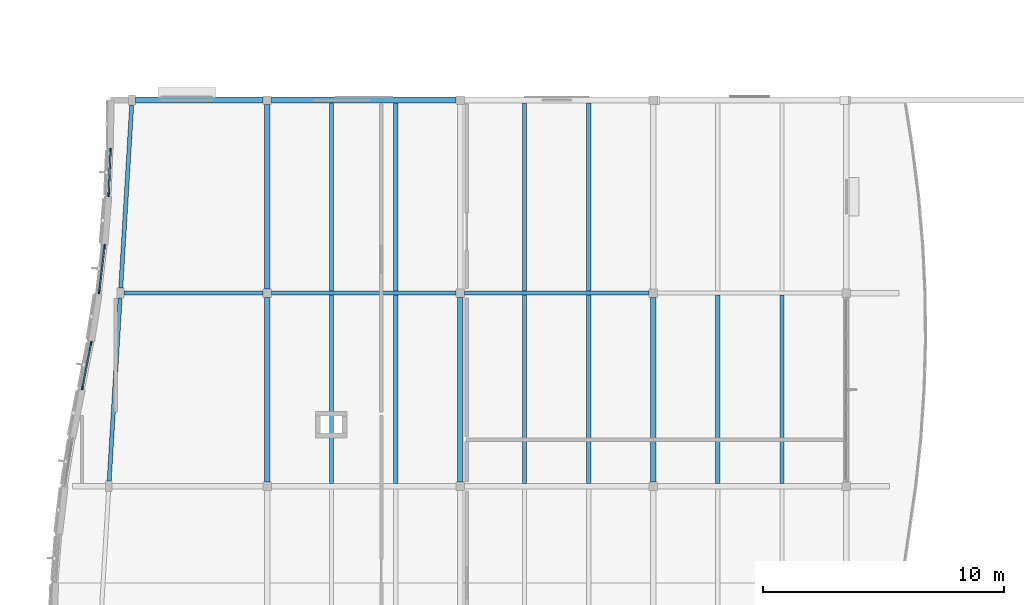
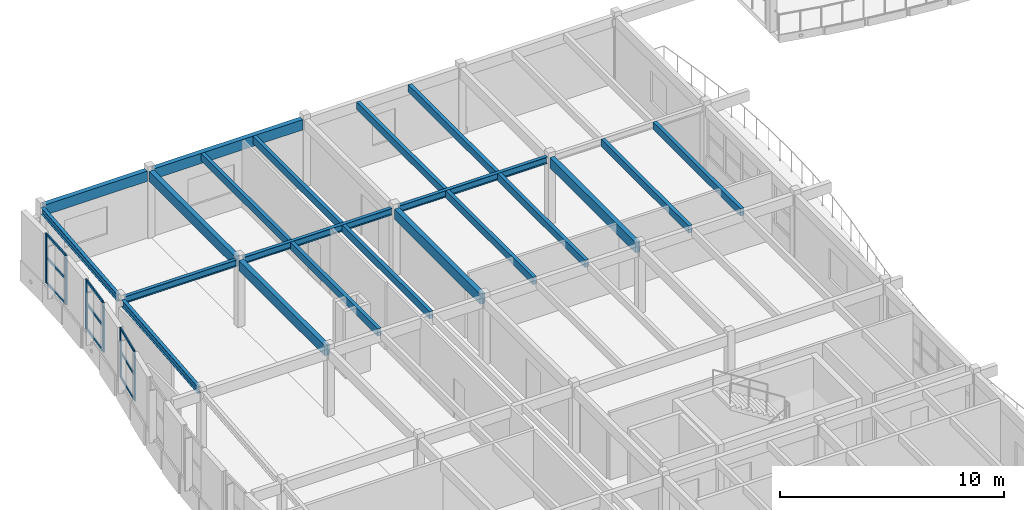
# One storey, part 11 of 63: 21 beams, 15 members, 3 elements without a shape of their own.
"""IFC4 building model written with IfcOpenShell, lengths in metres."""

from ifc_helpers import new_model, si_unit, direction, frame, origin, origin_2d, place, context, subcontext, project, spatial, rectangle, i_section, extrude, material, layer, layer_set, material_profile, profile_set, type_object, element, aggregate, save


model = new_model("IFC4")

# Units and contexts
model_context = context("Model", 3, precision=1e-05, world=origin(), true_north=direction((0.0, 1.0)))
body_context = subcontext(model_context, "Body", "Model", "MODEL_VIEW")
ifc_project = project(units=[si_unit("LENGTHUNIT", "METRE"), si_unit("AREAUNIT", "SQUARE_METRE"), si_unit("VOLUMEUNIT", "CUBIC_METRE"), si_unit("PLANEANGLEUNIT", "RADIAN"), si_unit("MASSUNIT", "GRAM", prefix="KILO")], contexts=[model_context])

# Site, building, storey
site_placement = place(None, origin())
site = spatial("IfcSite", under=ifc_project, at=site_placement, CompositionType="ELEMENT")
building_placement = place(site_placement, origin())
building = spatial("IfcBuilding", under=site, at=building_placement, Name="Tonlespit Floodbar School", CompositionType="ELEMENT")
storey_placement = place(building_placement, frame((0.0, 0.0, 8.39990234375)))
storey = spatial("IfcBuildingStorey", under=building, at=storey_placement, Name="L02", CompositionType="ELEMENT", Elevation=8.39990234375)

# Beams
ifc_material_1 = material(Name="Glulam GL28h", Category="wood")
ifc_material_profile_1 = material_profile(ifc_material_1, rectangle(XDim=0.239990234375, YDim=0.56005859375, at=origin_2d()), Name="GL 240x560")
ifc_profile_set_1 = profile_set([ifc_material_profile_1], Name="Glulam GL28h")
beam_type_1 = type_object("IfcBeamType", Name="Beam_GL_240x560", PredefinedType="BEAM", material=ifc_profile_set_1)
beam_1_placement = place(storey_placement, frame((6.5400390625, 96.0, 3.3701171875), z_axis=(1.0, 0.0, 0.0), x_axis=(0.0, 1.0, 0.0)))
element("IfcBeam", 1, at=beam_1_placement, inside=storey, type_object=beam_type_1, Name="L02 girder 0952", PredefinedType="BEAM", context=body_context, shape_type="SweptSolid", body=[
    extrude(rectangle(XDim=0.239990234375, YDim=0.56005859375, at=origin_2d()), origin(), (0.0, 0.0, 1.0), 5.280029296875),
])
for number, where, z_axis, x_axis, name in (
    (2, (12.179931640625, 96.0, 3.3701171875), (1.0, 0.0, 0.0), (0.0, 1.0, 0.0), "L02 girder 0953"),
    (3, (12.0, 80.179931640625, 3.3701171875), (0.0, 1.0, 0.0), (-1.0, 0.0, 0.0), "L02 girder 1006"),
    (4, (12.0, 88.179931640625, 3.3701171875), (0.0, 1.0, 0.0), (-1.0, 0.0, 0.0), "L02 girder 1007"),
    (5, (20.0, 80.179931640625, 3.3701171875), (0.0, 1.0, 0.0), (-1.0, 0.0, 0.0), "L02 girder 1015"),
    (6, (28.0, 80.179931640625, 3.3701171875), (0.0, 1.0, 0.0), (-1.0, 0.0, 0.0), "L02 girder 1023"),
):
    element("IfcBeam", number, at=place(storey_placement, frame(where, z_axis=z_axis, x_axis=x_axis)), inside=storey, type_object=beam_type_1, Name=name, PredefinedType="BEAM", context=body_context, shape_type="SweptSolid", body=[
        extrude(rectangle(XDim=0.239990234375, YDim=0.56005859375, at=origin_2d()), origin(), (0.0, 0.0, 1.0), 7.64013671875),
    ])

# Curtain wall, members
ifc_material_2 = material(Name="Anodised Aluminium", Category="aluminium")
ifc_layer_1 = layer(ifc_material_2, 0.159912109375)
ifc_layer_set_1 = layer_set([ifc_layer_1], Name="Anodised Aluminium")
curtain_wall_type_1 = type_object("IfcCurtainWallType", Name="CurtainWall_1950x2700", PredefinedType="NOTDEFINED", material=ifc_layer_set_1)
curtain_wall_1_placement = place(storey_placement, origin())
curtain_wall_1 = element("IfcCurtainWall", 7, at=curtain_wall_1_placement, inside=storey, type_object=curtain_wall_type_1, Name="L02 unitised curtain wall 0294", PredefinedType="NOTDEFINED")
ifc_material_profile_2 = material_profile(ifc_material_2, rectangle(XDim=0.06494140625, YDim=0.14990234375, at=origin_2d()), Name="ALU M65x150")
ifc_profile_set_2 = profile_set([ifc_material_profile_2], Name="Anodised Aluminium")
member_type_1 = type_object("IfcMemberType", Name="CW_Mullion_65x150", PredefinedType="MULLION", material=ifc_profile_set_2)
member_1_placement = place(storey_placement, frame((4.343994140625, 84.0712890625, 0.9501953125), z_axis=(0.0, 0.0, 1.0), x_axis=(-0.981347015734, 0.192244726092, 0.0)))
member_1 = element("IfcMember", 8, at=member_1_placement, type_object=member_type_1, Name="CW-04 mullion 1", PredefinedType="MULLION", context=body_context, shape_type="SweptSolid", body=[
    extrude(rectangle(XDim=0.06494140625, YDim=0.14990234375, at=origin_2d()), origin(), (0.0, 0.0, 1.0), 2.699951171875),
])
member_2_placement = place(storey_placement, frame((4.707763671875, 85.9287109375, 0.9501953125), z_axis=(0.0, 0.0, 1.0), x_axis=(-0.981347015734, 0.192244726092, 0.0)))
member_2 = element("IfcMember", 9, at=member_2_placement, type_object=member_type_1, Name="CW-04 mullion 2", PredefinedType="MULLION", context=body_context, shape_type="SweptSolid", body=[
    extrude(rectangle(XDim=0.06494140625, YDim=0.14990234375, at=origin_2d()), origin(), (0.0, 0.0, 1.0), 2.699951171875),
])

ifc_layer_2 = layer(ifc_material_2, 0.159912109375)
ifc_layer_set_2 = layer_set([ifc_layer_2], Name="Anodised Aluminium")
curtain_wall_type_2 = type_object("IfcCurtainWallType", Name="CurtainWall_1900x2700", PredefinedType="NOTDEFINED", material=ifc_layer_set_2)
curtain_wall_2_placement = place(storey_placement, origin())
curtain_wall_2 = element("IfcCurtainWall", 10, at=curtain_wall_2_placement, inside=storey, type_object=curtain_wall_type_2, Name="L02 unitised curtain wall 0296", PredefinedType="NOTDEFINED")
member_3_placement = place(storey_placement, frame((5.43212890625, 92.072509765625, 0.9501953125), z_axis=(0.0, 0.0, 1.0), x_axis=(-0.999169480615, 0.040747380387, 0.0)))
member_3 = element("IfcMember", 11, at=member_3_placement, type_object=member_type_1, Name="CW-05 mullion 1", PredefinedType="MULLION", context=body_context, shape_type="SweptSolid", body=[
    extrude(rectangle(XDim=0.06494140625, YDim=0.14990234375, at=origin_2d()), origin(), (0.0, 0.0, 1.0), 2.699951171875),
])
member_4_placement = place(storey_placement, frame((5.507568359375, 93.927490234375, 0.9501953125), z_axis=(0.0, 0.0, 1.0), x_axis=(-0.999169480615, 0.040747380387, 0.0)))
member_4 = element("IfcMember", 12, at=member_4_placement, type_object=member_type_1, Name="CW-05 mullion 2", PredefinedType="MULLION", context=body_context, shape_type="SweptSolid", body=[
    extrude(rectangle(XDim=0.06494140625, YDim=0.14990234375, at=origin_2d()), origin(), (0.0, 0.0, 1.0), 2.699951171875),
])

curtain_wall_3_placement = place(storey_placement, origin())
curtain_wall_3 = element("IfcCurtainWall", 13, at=curtain_wall_3_placement, inside=storey, type_object=curtain_wall_type_1, Name="L02 unitised curtain wall 0295", PredefinedType="NOTDEFINED")
ifc_material_profile_3 = material_profile(ifc_material_2, rectangle(XDim=0.06494140625, YDim=0.179931640625, at=origin_2d()), Name="ALU M65x180")
ifc_profile_set_3 = profile_set([ifc_material_profile_3], Name="Anodised Aluminium")
member_type_2 = type_object("IfcMemberType", Name="CW_Mullion_65x180", PredefinedType="MULLION", material=ifc_profile_set_3)
member_5_placement = place(storey_placement, frame((5.04345703125, 88.072021484375, 0.9501953125), z_axis=(0.0, 0.0, 1.0), x_axis=(-0.993135771716, 0.116967255837, 0.0)))
member_5 = element("IfcMember", 14, at=member_5_placement, type_object=member_type_2, Name="CW-04 mullion 1", PredefinedType="MULLION", context=body_context, shape_type="SweptSolid", body=[
    extrude(rectangle(XDim=0.06494140625, YDim=0.179931640625, at=origin_2d()), origin(), (0.0, 0.0, 1.0), 2.699951171875),
])
member_6_placement = place(storey_placement, frame((5.26220703125, 89.927978515625, 0.9501953125), z_axis=(0.0, 0.0, 1.0), x_axis=(-0.993135771716, 0.116967255837, 0.0)))
member_6 = element("IfcMember", 15, at=member_6_placement, type_object=member_type_2, Name="CW-04 mullion 2", PredefinedType="MULLION", context=body_context, shape_type="SweptSolid", body=[
    extrude(rectangle(XDim=0.06494140625, YDim=0.179931640625, at=origin_2d()), origin(), (0.0, 0.0, 1.0), 2.699951171875),
])

# Member
ifc_material_profile_4 = material_profile(ifc_material_2, rectangle(XDim=0.06494140625, YDim=0.1201171875, at=origin_2d()), Name="ALU T65x120")
ifc_profile_set_4 = profile_set([ifc_material_profile_4], Name="Anodised Aluminium")
member_type_3 = type_object("IfcMemberType", Name="CW_Transom_65x120", PredefinedType="USERDEFINED", material=ifc_profile_set_4)
member_7_placement = place(storey_placement, frame((4.35009765625, 84.10302734375, 0.982666015625), z_axis=(0.192313591783, 0.981333522517, 0.0), x_axis=(-0.981333522517, 0.192313591783, 0.0)))
member_7 = element("IfcMember", 16, at=member_7_placement, type_object=member_type_3, Name="CW-04 transom 1.1", ObjectType="TRANSOM", PredefinedType="USERDEFINED", context=body_context, shape_type="SweptSolid", body=[
    extrude(rectangle(XDim=0.06494140625, YDim=0.1201171875, at=origin_2d()), origin(), (0.0, 0.0, 1.0), 1.828125),
])

member_8_placement = place(storey_placement, frame((4.35009765625, 84.10302734375, 2.35400390625), z_axis=(0.192313591783, 0.981333522517, 0.0), x_axis=(-0.981333522517, 0.192313591783, 0.0)))
member_8 = element("IfcMember", 17, at=member_8_placement, type_object=member_type_3, Name="CW-04 transom 1.2", ObjectType="TRANSOM", PredefinedType="USERDEFINED", context=body_context, shape_type="SweptSolid", body=[
    extrude(rectangle(XDim=0.06494140625, YDim=0.1201171875, at=origin_2d()), origin(), (0.0, 0.0, 1.0), 1.828125),
])

member_9_placement = place(storey_placement, frame((4.35009765625, 84.10302734375, 3.61767578125), z_axis=(0.192313591783, 0.981333522517, 0.0), x_axis=(-0.981333522517, 0.192313591783, 0.0)))
member_9 = element("IfcMember", 18, at=member_9_placement, type_object=member_type_3, Name="CW-04 transom 1.3", ObjectType="TRANSOM", PredefinedType="USERDEFINED", context=body_context, shape_type="SweptSolid", body=[
    extrude(rectangle(XDim=0.06494140625, YDim=0.1201171875, at=origin_2d()), origin(), (0.0, 0.0, 1.0), 1.828125),
])

aggregate(curtain_wall_1, [member_1, member_2, member_7, member_8, member_9])

member_10_placement = place(storey_placement, frame((5.433349609375, 92.10498046875, 0.982666015625), z_axis=(0.040746274984, 0.999169525694, 0.0), x_axis=(-0.999169525694, 0.040746274984, 0.0)))
member_10 = element("IfcMember", 19, at=member_10_placement, type_object=member_type_3, Name="CW-05 transom 1.1", ObjectType="TRANSOM", PredefinedType="USERDEFINED", context=body_context, shape_type="SweptSolid", body=[
    extrude(rectangle(XDim=0.06494140625, YDim=0.1201171875, at=origin_2d()), origin(), (0.0, 0.0, 1.0), 1.79150390625),
])

member_11_placement = place(storey_placement, frame((5.433349609375, 92.10498046875, 2.35400390625), z_axis=(0.040746274984, 0.999169525694, 0.0), x_axis=(-0.999169525694, 0.040746274984, 0.0)))
member_11 = element("IfcMember", 20, at=member_11_placement, type_object=member_type_3, Name="CW-05 transom 1.2", ObjectType="TRANSOM", PredefinedType="USERDEFINED", context=body_context, shape_type="SweptSolid", body=[
    extrude(rectangle(XDim=0.06494140625, YDim=0.1201171875, at=origin_2d()), origin(), (0.0, 0.0, 1.0), 1.79150390625),
])

member_12_placement = place(storey_placement, frame((5.433349609375, 92.10498046875, 3.61767578125), z_axis=(0.040746274984, 0.999169525694, 0.0), x_axis=(-0.999169525694, 0.040746274984, 0.0)))
member_12 = element("IfcMember", 21, at=member_12_placement, type_object=member_type_3, Name="CW-05 transom 1.3", ObjectType="TRANSOM", PredefinedType="USERDEFINED", context=body_context, shape_type="SweptSolid", body=[
    extrude(rectangle(XDim=0.06494140625, YDim=0.1201171875, at=origin_2d()), origin(), (0.0, 0.0, 1.0), 1.79150390625),
])

aggregate(curtain_wall_2, [member_3, member_4, member_10, member_11, member_12])

ifc_material_profile_5 = material_profile(ifc_material_2, rectangle(XDim=0.06494140625, YDim=0.139892578125, at=origin_2d()), Name="ALU T65x140")
ifc_profile_set_5 = profile_set([ifc_material_profile_5], Name="Anodised Aluminium")
member_type_4 = type_object("IfcMemberType", Name="CW_Transom_65x140", PredefinedType="USERDEFINED", material=ifc_profile_set_5)
member_13_placement = place(storey_placement, frame((5.04736328125, 88.104248046875, 0.982666015625), z_axis=(0.116935478324, 0.993139513819, 0.0), x_axis=(-0.993139513819, 0.116935478324, 0.0)))
member_13 = element("IfcMember", 22, at=member_13_placement, type_object=member_type_4, Name="CW-04 transom 1.1", ObjectType="TRANSOM", PredefinedType="USERDEFINED", context=body_context, shape_type="SweptSolid", body=[
    extrude(rectangle(XDim=0.06494140625, YDim=0.139892578125, at=origin_2d()), origin(), (0.0, 0.0, 1.0), 1.803955078125),
])

member_14_placement = place(storey_placement, frame((5.04736328125, 88.104248046875, 2.35400390625), z_axis=(0.116935478324, 0.993139513819, 0.0), x_axis=(-0.993139513819, 0.116935478324, 0.0)))
member_14 = element("IfcMember", 23, at=member_14_placement, type_object=member_type_4, Name="CW-04 transom 1.2", ObjectType="TRANSOM", PredefinedType="USERDEFINED", context=body_context, shape_type="SweptSolid", body=[
    extrude(rectangle(XDim=0.06494140625, YDim=0.139892578125, at=origin_2d()), origin(), (0.0, 0.0, 1.0), 1.803955078125),
])

member_15_placement = place(storey_placement, frame((5.04736328125, 88.104248046875, 3.61767578125), z_axis=(0.116935478324, 0.993139513819, 0.0), x_axis=(-0.993139513819, 0.116935478324, 0.0)))
member_15 = element("IfcMember", 24, at=member_15_placement, type_object=member_type_4, Name="CW-04 transom 1.3", ObjectType="TRANSOM", PredefinedType="USERDEFINED", context=body_context, shape_type="SweptSolid", body=[
    extrude(rectangle(XDim=0.06494140625, YDim=0.139892578125, at=origin_2d()), origin(), (0.0, 0.0, 1.0), 1.803955078125),
])

aggregate(curtain_wall_3, [member_5, member_6, member_13, member_14, member_15])

# Beams
ifc_material_profile_6 = material_profile(ifc_material_1, rectangle(XDim=0.179931640625, YDim=0.39990234375, at=origin_2d()), Name="GL 180x400")
ifc_profile_set_6 = profile_set([ifc_material_profile_6], Name="Glulam GL28h")
beam_type_2 = type_object("IfcBeamType", Name="Joist_GL_180x400", PredefinedType="JOIST", material=ifc_profile_set_6)
for number, where, z_axis, x_axis, name in (
    (25, (14.666748046875, 80.1201171875, 3.4501953125), (0.0, 1.0, 0.0), (-1.0, 0.0, 0.0), "L02 secondary joist 1092"),
    (26, (17.333251953125, 80.1201171875, 3.4501953125), (0.0, 1.0, 0.0), (-1.0, 0.0, 0.0), "L02 secondary joist 1093"),
    (27, (22.666748046875, 80.1201171875, 3.4501953125), (0.0, 1.0, 0.0), (-1.0, 0.0, 0.0), "L02 secondary joist 1094"),
    (28, (25.333251953125, 80.1201171875, 3.4501953125), (0.0, 1.0, 0.0), (-1.0, 0.0, 0.0), "L02 secondary joist 1095"),
    (29, (30.666748046875, 80.1201171875, 3.4501953125), (0.0, 1.0, 0.0), (-1.0, 0.0, 0.0), "L02 secondary joist 1096"),
    (30, (33.333251953125, 80.1201171875, 3.4501953125), (0.0, 1.0, 0.0), (-1.0, 0.0, 0.0), "L02 secondary joist 1097"),
    (31, (14.666748046875, 88.0849609375, 3.4501953125), (0.0, 1.0, 0.0), (-1.0, 0.0, 0.0), "L02 secondary joist 1098"),
    (32, (17.333251953125, 88.0849609375, 3.4501953125), (0.0, 1.0, 0.0), (-1.0, 0.0, 0.0), "L02 secondary joist 1099"),
    (33, (22.666748046875, 88.0849609375, 3.4501953125), (0.0, 1.0, 0.0), (-1.0, 0.0, 0.0), "L02 secondary joist 1100"),
    (34, (25.333251953125, 88.0849609375, 3.4501953125), (0.0, 1.0, 0.0), (-1.0, 0.0, 0.0), "L02 secondary joist 1101"),
):
    element("IfcBeam", number, at=place(storey_placement, frame(where, z_axis=z_axis, x_axis=x_axis)), inside=storey, type_object=beam_type_2, Name=name, PredefinedType="JOIST", context=body_context, shape_type="SweptSolid", body=[
        extrude(rectangle(XDim=0.179931640625, YDim=0.39990234375, at=origin_2d()), origin(), (0.0, 0.0, 1.0), 7.794921875),
    ])
ifc_material_3 = material(Name="Steel S355", Category="steel")
ifc_material_profile_7 = material_profile(ifc_material_3, i_section(OverallWidth=0.169921875, OverallDepth=0.360107421875, WebThickness=0.008056640625, FlangeThickness=0.0126953125, at=origin_2d()), Name="IPE 360")
ifc_profile_set_7 = profile_set([ifc_material_profile_7], Name="Steel S355")
beam_type_3 = type_object("IfcBeamType", Name="Spandrel_STL_IPE360", PredefinedType="SPANDREL", material=ifc_profile_set_7)
beam_2_placement = place(storey_placement, frame((6.06005859375, 88.0, 3.47021484375), z_axis=(1.0, 0.0, 0.0), x_axis=(0.0, 1.0, 0.0)))
element("IfcBeam", 35, at=beam_2_placement, inside=storey, type_object=beam_type_3, Name="L02 girder 0948", PredefinedType="SPANDREL", context=body_context, shape_type="SweptSolid", body=[
    extrude(i_section(OverallWidth=0.169921875, OverallDepth=0.360107421875, WebThickness=0.008056640625, FlangeThickness=0.0126953125, at=origin_2d()), origin(), (0.0, 0.0, 1.0), 5.760009765625),
])
for number, where, z_axis, x_axis, name in (
    (36, (12.179931640625, 88.0, 3.47021484375), (1.0, 0.0, 0.0), (0.0, 1.0, 0.0), "L02 girder 0949"),
    (37, (20.179931640625, 88.0, 3.47021484375), (1.0, 0.0, 0.0), (0.0, 1.0, 0.0), "L02 girder 0950"),
):
    element("IfcBeam", number, at=place(storey_placement, frame(where, z_axis=z_axis, x_axis=x_axis)), inside=storey, type_object=beam_type_3, Name=name, PredefinedType="SPANDREL", context=body_context, shape_type="SweptSolid", body=[
        extrude(i_section(OverallWidth=0.169921875, OverallDepth=0.360107421875, WebThickness=0.008056640625, FlangeThickness=0.0126953125, at=origin_2d()), origin(), (0.0, 0.0, 1.0), 7.64013671875),
    ])
for number, where, z_axis, x_axis, name in (
    (38, (5.45263671875, 80.209716796875, 3.47021484375), (0.059892290728, 0.998204845466, 0.0), (-0.998204845466, 0.059892290728, 0.0), "L02 splayed edge spandrel 1063"),
    (39, (5.9326171875, 88.209716796875, 3.47021484375), (0.059892290728, 0.998204845466, 0.0), (-0.998204845466, 0.059892290728, 0.0), "L02 splayed edge spandrel 1064"),
):
    element("IfcBeam", number, at=place(storey_placement, frame(where, z_axis=z_axis, x_axis=x_axis)), inside=storey, type_object=beam_type_3, Name=name, PredefinedType="SPANDREL", context=body_context, shape_type="SweptSolid", body=[
        extrude(i_section(OverallWidth=0.169921875, OverallDepth=0.360107421875, WebThickness=0.008056640625, FlangeThickness=0.0126953125, at=origin_2d()), origin(), (0.0, 0.0, 1.0), 7.59423828125),
    ])

save(model, "model.ifc")
